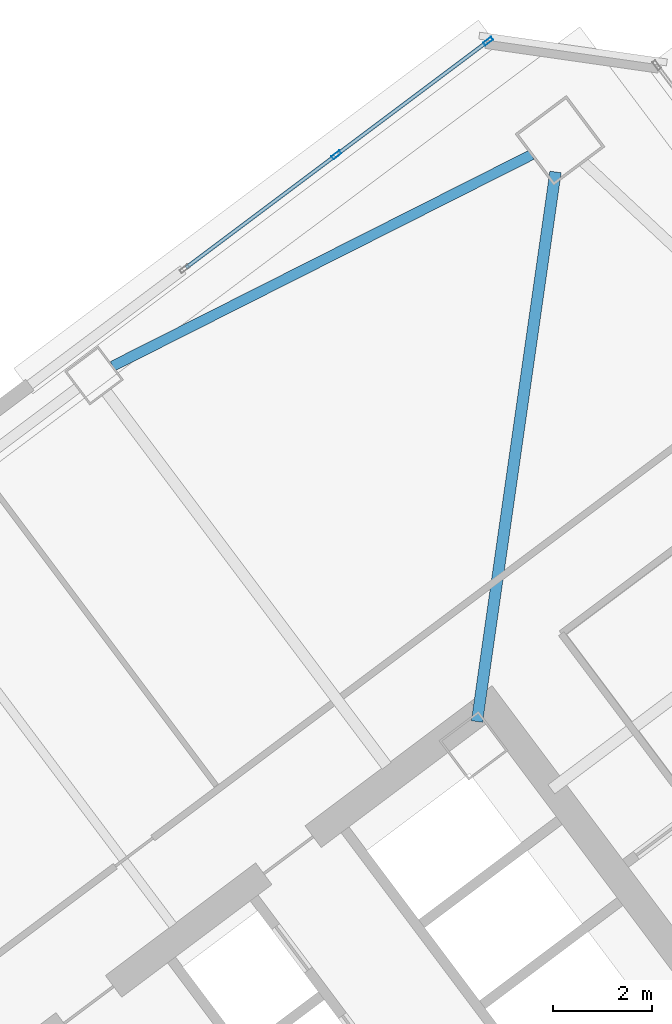
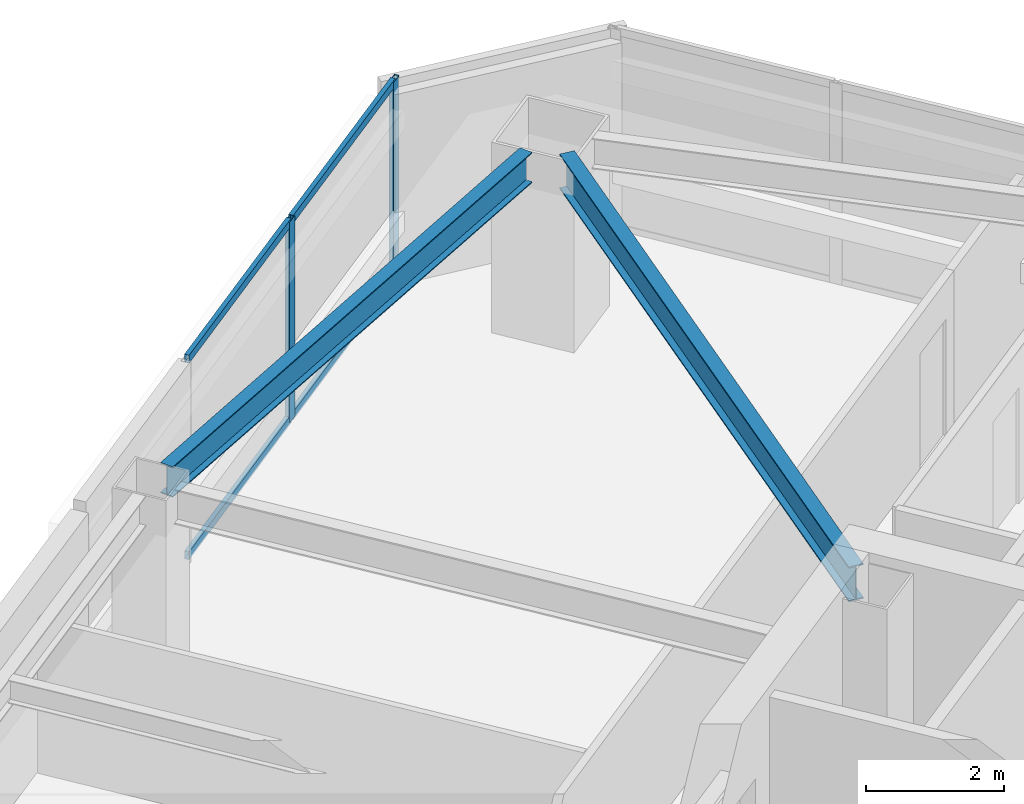
# One storey, part 31 of 48: 6 members, 2 beams, 1 element without a shape of its own.
"""IFC4 building model written with IfcOpenShell, lengths in metres."""

from ifc_helpers import new_model, si_unit, direction, frame, origin, origin_2d, place, context, subcontext, project, spatial, hollow_rectangle, i_section, extrude, material, material_profile, profile_set, type_object, element, aggregate, save


model = new_model("IFC4")

# Units and contexts
model_context = context("Model", 3, precision=1e-05, world=origin(), true_north=direction((0.0, 1.0)))
body_context = subcontext(model_context, "Body", "Model", "MODEL_VIEW")
ifc_project = project(units=[si_unit("LENGTHUNIT", "METRE"), si_unit("AREAUNIT", "SQUARE_METRE"), si_unit("VOLUMEUNIT", "CUBIC_METRE"), si_unit("PLANEANGLEUNIT", "RADIAN"), si_unit("MASSUNIT", "GRAM", prefix="KILO")], contexts=[model_context])

# Site, building, storey
site_placement = place(None, origin())
site = spatial("IfcSite", under=ifc_project, at=site_placement, CompositionType="ELEMENT")
building_placement = place(site_placement, origin())
building = spatial("IfcBuilding", under=site, at=building_placement, Name="Tashvorn Skyway Center", CompositionType="ELEMENT")
storey_placement = place(building_placement, frame((0.0, 0.0, 125.050048828125)))
storey = spatial("IfcBuildingStorey", under=building, at=storey_placement, Name="L33", CompositionType="ELEMENT", Elevation=125.050048828125)

# Beams
ifc_material_1 = material(Name="Steel ASTM A992 Grade 50", Category="steel")
ifc_material_profile_1 = material_profile(ifc_material_1, i_section(OverallWidth=0.22998046875, OverallDepth=0.616943359375, WebThickness=0.01318359375, FlangeThickness=0.022216796875, at=origin_2d()), Name="W24X94")
ifc_profile_set_1 = profile_set([ifc_material_profile_1], Name="Steel ASTM A992 Grade 50")
beam_type_1 = type_object("IfcBeamType", Name="BM-BEAM-W24X94", PredefinedType="BEAM", material=ifc_profile_set_1)
beam_1_placement = place(storey_placement, frame((117.06884765625, 53.4814453125, 3.0615234375), z_axis=(-0.141430483583, -0.989948189712, 0.0), x_axis=(0.989948189712, -0.141430483583, 0.0)))
element("IfcBeam", 1, at=beam_1_placement, inside=storey, type_object=beam_type_1, Name="Tower 2 L33 Primary Floor Girder MC-NE", PredefinedType="BEAM", context=body_context, shape_type="SweptSolid", body=[
    extrude(i_section(OverallWidth=0.22998046875, OverallDepth=0.616943359375, WebThickness=0.01318359375, FlangeThickness=0.022216796875, at=origin_2d()), origin(), (0.0, 0.0, 1.0), 11.234375),
])
ifc_material_profile_2 = material_profile(ifc_material_1, i_section(OverallWidth=0.2109375, OverallDepth=0.5390625, WebThickness=0.01171875, FlangeThickness=0.018798828125, at=origin_2d()), Name="W21X73")
ifc_profile_set_2 = profile_set([ifc_material_profile_2], Name="Steel ASTM A992 Grade 50")
beam_type_2 = type_object("IfcBeamType", Name="BM-SPANDREL-W21X73", PredefinedType="SPANDREL", material=ifc_profile_set_2)
beam_2_placement = place(storey_placement, frame((116.584228515625, 53.829345703125, 3.100341796875), z_axis=(-0.892719124217, -0.450613543136, 0.0), x_axis=(0.450613543136, -0.892719124217, 0.0)))
element("IfcBeam", 2, at=beam_2_placement, inside=storey, type_object=beam_type_2, Name="Tower 2 L33 Spandrel Beam 07", PredefinedType="SPANDREL", context=body_context, shape_type="SweptSolid", body=[
    extrude(i_section(OverallWidth=0.2109375, OverallDepth=0.5390625, WebThickness=0.01171875, FlangeThickness=0.018798828125, at=origin_2d()), origin(), (0.0, 0.0, 1.0), 9.498291015625),
])

# Curtain wall, members
ifc_material_2 = material(Name="Thermally broken bronze-anodized aluminium 6063-T6", Category="aluminium")
curtain_wall_type = type_object("IfcCurtainWallType", Name="CW-CW-Z3", PredefinedType="NOTDEFINED", material=ifc_material_2)
curtain_wall_placement = place(storey_placement, origin())
curtain_wall = element("IfcCurtainWall", 3, at=curtain_wall_placement, inside=storey, type_object=curtain_wall_type, Name="Tower 2 L33 North Curtain Wall R Glazing Group 1", PredefinedType="NOTDEFINED")
ifc_material_profile_3 = material_profile(ifc_material_2, hollow_rectangle(XDim=0.074951171875, YDim=0.199951171875, WallThickness=0.00439453125, at=origin_2d()), Name="ALU-MULL-75x200")
ifc_profile_set_3 = profile_set([ifc_material_profile_3], Name="Thermally broken bronze-anodized aluminium 6063-T6")
member_type_1 = type_object("IfcMemberType", Name="CWM-CW-Z3", PredefinedType="MULLION", material=ifc_profile_set_3)
member_1_placement = place(storey_placement, frame((112.634765625, 53.825927734375, 0.0), z_axis=(0.0, 0.0, 1.0), x_axis=(-0.599997936379, 0.800001547712, 0.0)))
member_1 = element("IfcMember", 4, at=member_1_placement, type_object=member_type_1, Name="CW-Z3 mullion 2", PredefinedType="MULLION", context=body_context, shape_type="SweptSolid", body=[
    extrude(hollow_rectangle(XDim=0.074951171875, YDim=0.199951171875, WallThickness=0.00439453125, at=origin_2d()), origin(), (0.0, 0.0, 1.0), 3.550048828125),
])
member_2_placement = place(storey_placement, frame((115.7060546875, 56.12939453125, 0.0), z_axis=(0.0, 0.0, 1.0), x_axis=(-0.599997936379, 0.800001547712, 0.0)))
member_2 = element("IfcMember", 5, at=member_2_placement, type_object=member_type_1, Name="CW-Z3 mullion 3", PredefinedType="MULLION", context=body_context, shape_type="SweptSolid", body=[
    extrude(hollow_rectangle(XDim=0.074951171875, YDim=0.199951171875, WallThickness=0.00439453125, at=origin_2d()), origin(), (0.0, 0.0, 1.0), 3.550048828125),
])
ifc_material_profile_4 = material_profile(ifc_material_2, hollow_rectangle(XDim=0.074951171875, YDim=0.139892578125, WallThickness=0.004150390625, at=origin_2d()), Name="ALU-TRAN-75x140")
ifc_profile_set_4 = profile_set([ifc_material_profile_4], Name="Thermally broken bronze-anodized aluminium 6063-T6")
member_type_2 = type_object("IfcMemberType", Name="CWT-CW-Z3", PredefinedType="USERDEFINED", material=ifc_profile_set_4)
member_3_placement = place(storey_placement, frame((109.59326171875, 51.544921875, 0.037353515625), z_axis=(0.80000778274, 0.599989622872, 0.0), x_axis=(-0.599989622872, 0.80000778274, 0.0)))
member_3 = element("IfcMember", 6, at=member_3_placement, type_object=member_type_2, Name="CW-Z3 transom 1.1", ObjectType="TRANSOM", PredefinedType="USERDEFINED", context=body_context, shape_type="SweptSolid", body=[
    extrude(hollow_rectangle(XDim=0.074951171875, YDim=0.139892578125, WallThickness=0.004150390625, at=origin_2d()), origin(), (0.0, 0.0, 1.0), 3.764404296875),
])
member_4_placement = place(storey_placement, frame((109.59326171875, 51.544921875, 3.512451171875), z_axis=(0.80000778274, 0.599989622872, 0.0), x_axis=(-0.599989622872, 0.80000778274, 0.0)))
member_4 = element("IfcMember", 7, at=member_4_placement, type_object=member_type_2, Name="CW-Z3 transom 1.2", ObjectType="TRANSOM", PredefinedType="USERDEFINED", context=body_context, shape_type="SweptSolid", body=[
    extrude(hollow_rectangle(XDim=0.074951171875, YDim=0.139892578125, WallThickness=0.004150390625, at=origin_2d()), origin(), (0.0, 0.0, 1.0), 3.764404296875),
])
member_5_placement = place(storey_placement, frame((112.66455078125, 53.848388671875, 0.037353515625), z_axis=(0.80000778274, 0.599989622872, 0.0), x_axis=(-0.599989622872, 0.80000778274, 0.0)))
member_5 = element("IfcMember", 8, at=member_5_placement, type_object=member_type_2, Name="CW-Z3 transom 2.1", ObjectType="TRANSOM", PredefinedType="USERDEFINED", context=body_context, shape_type="SweptSolid", body=[
    extrude(hollow_rectangle(XDim=0.074951171875, YDim=0.139892578125, WallThickness=0.004150390625, at=origin_2d()), origin(), (0.0, 0.0, 1.0), 3.764404296875),
])
member_6_placement = place(storey_placement, frame((112.66455078125, 53.848388671875, 3.512451171875), z_axis=(0.80000778274, 0.599989622872, 0.0), x_axis=(-0.599989622872, 0.80000778274, 0.0)))
member_6 = element("IfcMember", 9, at=member_6_placement, type_object=member_type_2, Name="CW-Z3 transom 2.2", ObjectType="TRANSOM", PredefinedType="USERDEFINED", context=body_context, shape_type="SweptSolid", body=[
    extrude(hollow_rectangle(XDim=0.074951171875, YDim=0.139892578125, WallThickness=0.004150390625, at=origin_2d()), origin(), (0.0, 0.0, 1.0), 3.764404296875),
])
aggregate(curtain_wall, [member_1, member_2, member_3, member_4, member_5, member_6])

save(model, "model.ifc")
